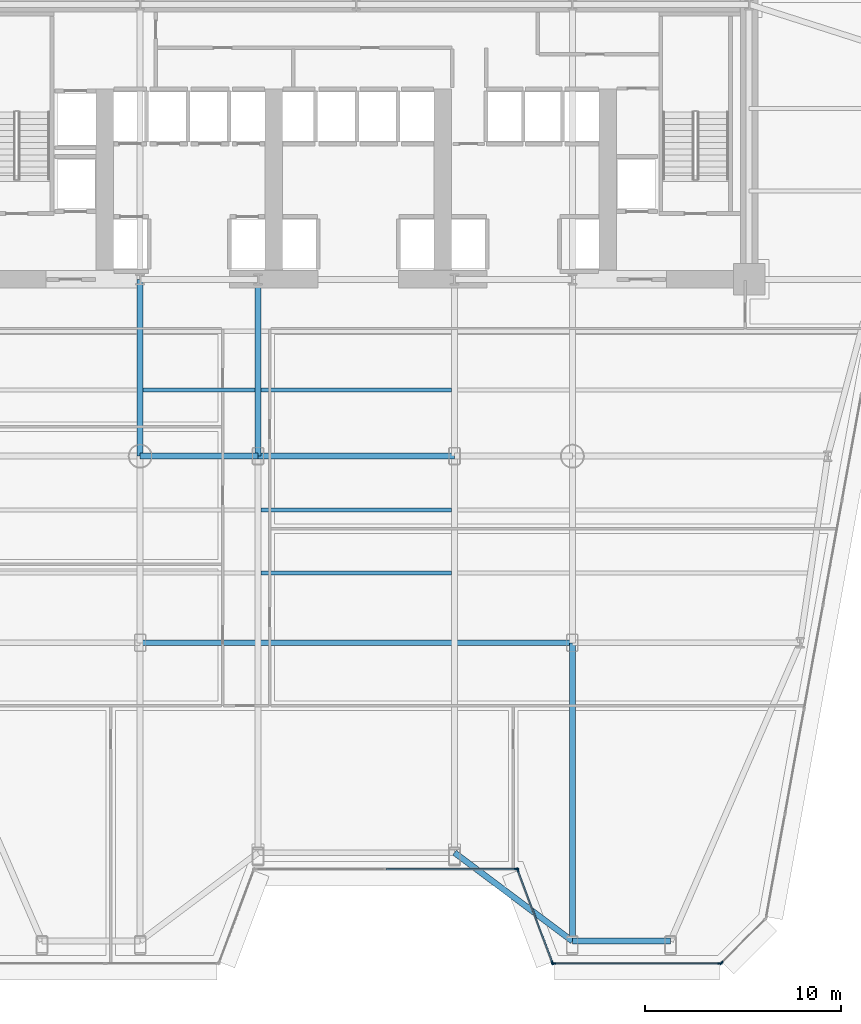
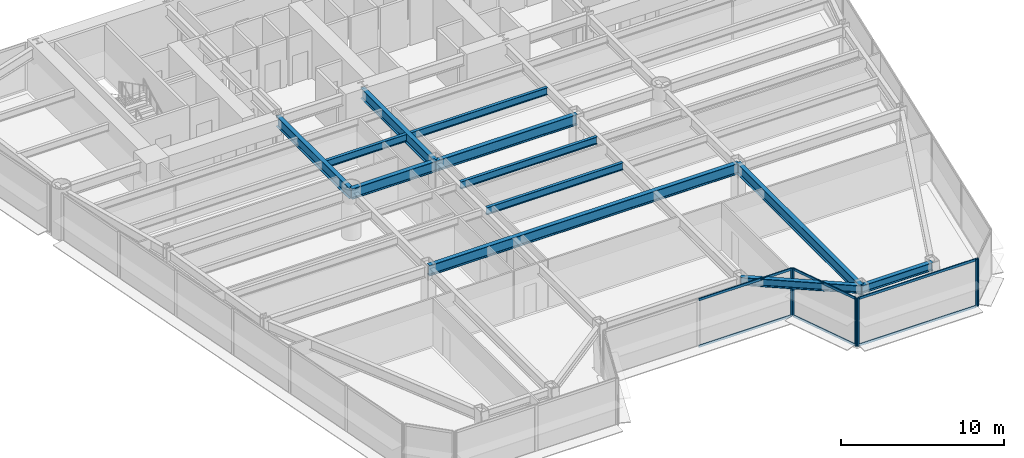
# One storey, part 3 of 14: 12 beams, 12 members, 4 elements without a shape of their own.
"""IFC4 building model written with IfcOpenShell, lengths in metres."""

from ifc_helpers import new_model, si_unit, direction, frame, origin, origin_2d, place, context, subcontext, project, spatial, rectangle, i_section, extrude, source, transform, mapped, material, layer, layer_set, material_profile, profile_set, type_object, element, aggregate, save


model = new_model("IFC4")

# Units and contexts
model_context = context("Model", 3, precision=1e-05, world=origin(), true_north=direction((0.0, 1.0)))
body_context = subcontext(model_context, "Body", "Model", "MODEL_VIEW")
ifc_project = project(units=[si_unit("LENGTHUNIT", "METRE"), si_unit("AREAUNIT", "SQUARE_METRE"), si_unit("VOLUMEUNIT", "CUBIC_METRE"), si_unit("PLANEANGLEUNIT", "RADIAN"), si_unit("MASSUNIT", "GRAM", prefix="KILO")], contexts=[model_context])

# Site, building, storey
site_placement = place(None, origin())
site = spatial("IfcSite", under=ifc_project, at=site_placement, CompositionType="ELEMENT")
building_placement = place(site_placement, origin())
building = spatial("IfcBuilding", under=site, at=building_placement, Name="Vaeldorn Concourse Tower", CompositionType="ELEMENT")
storey_placement = place(building_placement, frame((0.0, 0.0, 45.39990234375)))
storey = spatial("IfcBuildingStorey", under=building, at=storey_placement, Name="L11", CompositionType="ELEMENT", Elevation=45.39990234375)

# Beams
ifc_material_1 = material(Name="Steel S355", Category="steel")
ifc_material_profile_1 = material_profile(ifc_material_1, i_section(OverallWidth=0.300048828125, OverallDepth=0.800048828125, WebThickness=0.017578125, FlangeThickness=0.032958984375, FilletRadius=0.030029296875, at=origin_2d()), Name="HEB 800")
ifc_profile_set_1 = profile_set([ifc_material_profile_1], Name="Steel S355")
beam_type_1 = type_object("IfcBeamType", Name="BM-PG-HEB800", PredefinedType="BEAM", material=ifc_profile_set_1)
shared_shape_1 = source(origin(), body_context, "Body", "SweptSolid", [
    extrude(i_section(OverallWidth=0.300048828125, OverallDepth=0.800048828125, WebThickness=0.017578125, FlangeThickness=0.032958984375, FilletRadius=0.030029296875, at=origin_2d()), origin(), (0.0, 0.0, 1.0), 6.0),
])
beam_1_placement = place(storey_placement, frame((23.0, 27.5, 3.18017578125), z_axis=(1.0, 0.0, 0.0), x_axis=(0.0, 1.0, 0.0)))
element("IfcBeam", 1, at=beam_1_placement, inside=storey, type_object=beam_type_1, Name="Beam BM-L11-C-TW1-C-TW2", PredefinedType="BEAM", context=body_context, shape_type="MappedRepresentation", body=[
    mapped(shared_shape_1, transform((0.0, 0.0, 0.0), scale=1.0)),
])
shared_shape_2 = source(origin(), body_context, "Body", "SweptSolid", [
    extrude(i_section(OverallWidth=0.300048828125, OverallDepth=0.800048828125, WebThickness=0.017578125, FlangeThickness=0.032958984375, FilletRadius=0.030029296875, at=origin_2d()), origin(), (0.0, 0.0, 1.0), 10.0),
])
beam_2_placement = place(storey_placement, frame((29.0, 27.5, 3.18017578125), z_axis=(1.0, 0.0, 0.0), x_axis=(0.0, 1.0, 0.0)))
element("IfcBeam", 2, at=beam_2_placement, inside=storey, type_object=beam_type_1, Name="Beam BM-L11-C-TW2-C-TW3", PredefinedType="BEAM", context=body_context, shape_type="MappedRepresentation", body=[
    mapped(shared_shape_2, transform((0.0, 0.0, 0.0), scale=1.0)),
])
shared_shape_3 = source(origin(), body_context, "Body", "SweptSolid", [
    extrude(i_section(OverallWidth=0.300048828125, OverallDepth=0.800048828125, WebThickness=0.017578125, FlangeThickness=0.032958984375, FilletRadius=0.030029296875, at=origin_2d()), origin(), (0.0, 0.0, 1.0), 9.0),
])
for number, where, z_axis, x_axis, name in (
    (3, (23.0, 27.5, 3.18017578125), (0.0, 1.0, 0.0), (-1.0, 0.0, 0.0), "Beam BM-L11-C-TW1-C-FC2"),
    (4, (29.0, 27.5, 3.18017578125), (0.0, 1.0, 0.0), (-1.0, 0.0, 0.0), "Beam BM-L11-C-TW2-C-FC3"),
):
    element("IfcBeam", number, at=place(storey_placement, frame(where, z_axis=z_axis, x_axis=x_axis)), inside=storey, type_object=beam_type_1, Name=name, PredefinedType="BEAM", context=body_context, shape_type="MappedRepresentation", body=[
        mapped(shared_shape_3, transform((0.0, 0.0, 0.0), scale=1.0)),
    ])
ifc_material_profile_2 = material_profile(ifc_material_1, i_section(OverallWidth=0.300048828125, OverallDepth=0.60009765625, WebThickness=0.015380859375, FlangeThickness=0.030029296875, FilletRadius=0.027099609375, at=origin_2d()), Name="HEB 600")
ifc_profile_set_2 = profile_set([ifc_material_profile_2], Name="Steel S355")
beam_type_2 = type_object("IfcBeamType", Name="BM-SP-HEB600", PredefinedType="SPANDREL", material=ifc_profile_set_2)
shared_shape_4 = source(origin(), body_context, "Body", "SweptSolid", [
    extrude(i_section(OverallWidth=0.300048828125, OverallDepth=0.60009765625, WebThickness=0.015380859375, FlangeThickness=0.030029296875, FilletRadius=0.027099609375, at=origin_2d()), origin(), (0.0, 0.0, 1.0), 5.0),
])
beam_3_placement = place(storey_placement, frame((45.0, 2.8125, 3.280029296875), z_axis=(1.0, 0.0, 0.0), x_axis=(0.0, 1.0, 0.0)))
element("IfcBeam", 5, at=beam_3_placement, inside=storey, type_object=beam_type_2, Name="Beam BM-L11-C-SF5-C-SF6", PredefinedType="SPANDREL", context=body_context, shape_type="MappedRepresentation", body=[
    mapped(shared_shape_4, transform((0.0, 0.0, 0.0), scale=1.0)),
])
shared_shape_5 = source(origin(), body_context, "Body", "SweptSolid", [
    extrude(i_section(OverallWidth=0.300048828125, OverallDepth=0.60009765625, WebThickness=0.015380859375, FlangeThickness=0.030029296875, FilletRadius=0.027099609375, at=origin_2d()), origin(), (0.0, 0.0, 1.0), 7.5),
])
beam_4_placement = place(storey_placement, frame((39.0, 7.3125, 3.280029296875), z_axis=(0.8, -0.6, 0.0), x_axis=(0.6, 0.8, 0.0)))
element("IfcBeam", 6, at=beam_4_placement, inside=storey, type_object=beam_type_2, Name="Beam BM-L11-C-SF4-C-SF5", PredefinedType="SPANDREL", context=body_context, shape_type="MappedRepresentation", body=[
    mapped(shared_shape_5, transform((0.0, 0.0, 0.0), scale=1.0)),
])
shared_shape_6 = source(origin(), body_context, "Body", "SweptSolid", [
    extrude(i_section(OverallWidth=0.300048828125, OverallDepth=0.800048828125, WebThickness=0.017578125, FlangeThickness=0.032958984375, FilletRadius=0.030029296875, at=origin_2d()), origin(), (0.0, 0.0, 1.0), 22.0),
])
beam_5_placement = place(storey_placement, frame((23.0, 18.0, 3.18017578125), z_axis=(1.0, 0.0, 0.0), x_axis=(0.0, 1.0, 0.0)))
element("IfcBeam", 7, at=beam_5_placement, inside=storey, type_object=beam_type_1, Name="Beam BM-L11-C-TW5-C-TW6", PredefinedType="BEAM", context=body_context, shape_type="MappedRepresentation", body=[
    mapped(shared_shape_6, transform((0.0, 0.0, 0.0), scale=1.0)),
])
ifc_material_profile_3 = material_profile(ifc_material_1, i_section(OverallWidth=0.2099609375, OverallDepth=0.550048828125, WebThickness=0.010986328125, FlangeThickness=0.01708984375, FilletRadius=0.02392578125, at=origin_2d()), Name="IPE 550")
ifc_profile_set_3 = profile_set([ifc_material_profile_3], Name="Steel S355")
beam_type_3 = type_object("IfcBeamType", Name="BM-JS-IPE550", PredefinedType="JOIST", material=ifc_profile_set_3)
shared_shape_7 = source(origin(), body_context, "Body", "SweptSolid", [
    extrude(i_section(OverallWidth=0.2099609375, OverallDepth=0.550048828125, WebThickness=0.010986328125, FlangeThickness=0.01708984375, FilletRadius=0.02392578125, at=origin_2d()), origin(), (0.0, 0.0, 1.0), 5.7001953125),
])
beam_6_placement = place(storey_placement, frame((23.14990234375, 30.860107421875, 3.30517578125), z_axis=(1.0, 0.0, 0.0), x_axis=(0.0, 1.0, 0.0)))
element("IfcBeam", 8, at=beam_6_placement, inside=storey, type_object=beam_type_3, Name="Beam JS-L11-W2-308", PredefinedType="JOIST", context=body_context, shape_type="MappedRepresentation", body=[
    mapped(shared_shape_7, transform((0.0, 0.0, 0.0), scale=1.0)),
])
shared_shape_8 = source(origin(), body_context, "Body", "SweptSolid", [
    extrude(i_section(OverallWidth=0.2099609375, OverallDepth=0.550048828125, WebThickness=0.010986328125, FlangeThickness=0.01708984375, FilletRadius=0.02392578125, at=origin_2d()), origin(), (0.0, 0.0, 1.0), 9.7001953125),
])
for number, where, z_axis, x_axis, name in (
    (9, (29.14990234375, 21.56005859375, 3.30517578125), (1.0, 0.0, 0.0), (0.0, 1.0, 0.0), "Beam JS-L11-C-215"),
    (10, (29.14990234375, 24.760009765625, 3.30517578125), (1.0, 0.0, 0.0), (0.0, 1.0, 0.0), "Beam JS-L11-C-247"),
    (11, (29.14990234375, 30.860107421875, 3.30517578125), (1.0, 0.0, 0.0), (0.0, 1.0, 0.0), "Beam JS-L11-C-308"),
):
    element("IfcBeam", number, at=place(storey_placement, frame(where, z_axis=z_axis, x_axis=x_axis)), inside=storey, type_object=beam_type_3, Name=name, PredefinedType="JOIST", context=body_context, shape_type="MappedRepresentation", body=[
        mapped(shared_shape_8, transform((0.0, 0.0, 0.0), scale=1.0)),
    ])
shared_shape_9 = source(origin(), body_context, "Body", "SweptSolid", [
    extrude(i_section(OverallWidth=0.300048828125, OverallDepth=0.800048828125, WebThickness=0.017578125, FlangeThickness=0.032958984375, FilletRadius=0.030029296875, at=origin_2d()), origin(), (0.0, 0.0, 1.0), 15.1875),
])
beam_7_placement = place(storey_placement, frame((45.0, 2.8125, 3.18017578125), z_axis=(0.0, 1.0, 0.0), x_axis=(-1.0, 0.0, 0.0)))
element("IfcBeam", 12, at=beam_7_placement, inside=storey, type_object=beam_type_1, Name="Beam BM-L11-C-SF5-C-TW6", PredefinedType="BEAM", context=body_context, shape_type="MappedRepresentation", body=[
    mapped(shared_shape_9, transform((0.0, 0.0, 0.0), scale=1.0)),
])

# Curtain wall, members
ifc_material_2 = material(Name="Anodised Bronze Aluminium", Category="aluminium")
ifc_layer = layer(ifc_material_2, 0.219970703125)
ifc_layer_set = layer_set([ifc_layer], Name="Anodised Bronze Aluminium")
curtain_wall_type = type_object("IfcCurtainWallType", Name="CW-SYS-01", PredefinedType="NOTDEFINED", material=ifc_layer_set)
curtain_wall_1_placement = place(storey_placement, origin())
curtain_wall_1 = element("IfcCurtainWall", 13, at=curtain_wall_1_placement, inside=storey, type_object=curtain_wall_type, Name="Unitised Curtain Wall CW-L11-E03-1", PredefinedType="NOTDEFINED")
ifc_material_profile_4 = material_profile(ifc_material_2, rectangle(XDim=0.074951171875, YDim=0.179931640625, at=origin_2d()), Name="CWT 75x180")
ifc_profile_set_4 = profile_set([ifc_material_profile_4], Name="Anodised Bronze Aluminium")
member_type_1 = type_object("IfcMemberType", Name="CWT-BRONZE-180", PredefinedType="USERDEFINED", material=ifc_profile_set_4)
shared_shape_10 = source(origin(), body_context, "Body", "SweptSolid", [
    extrude(rectangle(XDim=0.074951171875, YDim=0.179931640625, at=origin_2d()), origin(), (0.0, 0.0, 1.0), 6.58740234375),
])
member_1_placement = place(storey_placement, frame((35.53759765625, 6.473388671875, 0.03759765625), z_axis=(1.0, 0.0, 0.0), x_axis=(0.0, 1.0, 0.0)))
member_1 = element("IfcMember", 14, at=member_1_placement, type_object=member_type_1, Name="CW-01 transom 2.1", ObjectType="TRANSOM", PredefinedType="USERDEFINED", context=body_context, shape_type="MappedRepresentation", body=[
    mapped(shared_shape_10, transform((0.0, 0.0, 0.0), scale=1.0)),
])
member_2_placement = place(storey_placement, frame((35.53759765625, 6.473388671875, 3.54248046875), z_axis=(1.0, 0.0, 0.0), x_axis=(0.0, 1.0, 0.0)))
member_2 = element("IfcMember", 15, at=member_2_placement, type_object=member_type_1, Name="CW-01 transom 2.2", ObjectType="TRANSOM", PredefinedType="USERDEFINED", context=body_context, shape_type="MappedRepresentation", body=[
    mapped(shared_shape_10, transform((0.0, 0.0, 0.0), scale=1.0)),
])

curtain_wall_2_placement = place(storey_placement, origin())
curtain_wall_2 = element("IfcCurtainWall", 16, at=curtain_wall_2_placement, inside=storey, type_object=curtain_wall_type, Name="Unitised Curtain Wall CW-L11-E04-1", PredefinedType="NOTDEFINED")
shared_shape_11 = source(origin(), body_context, "Body", "SweptSolid", [
    extrude(rectangle(XDim=0.074951171875, YDim=0.179931640625, at=origin_2d()), origin(), (0.0, 0.0, 1.0), 4.9765625),
])
member_3_placement = place(storey_placement, frame((42.226318359375, 6.4033203125, 0.03759765625), z_axis=(0.351112688987, -0.936333209724, 0.0), x_axis=(0.936333209724, 0.351112688987, 0.0)))
member_3 = element("IfcMember", 17, at=member_3_placement, type_object=member_type_1, Name="CW-01 transom 1.1", ObjectType="TRANSOM", PredefinedType="USERDEFINED", context=body_context, shape_type="MappedRepresentation", body=[
    mapped(shared_shape_11, transform((0.0, 0.0, 0.0), scale=1.0)),
])
member_4_placement = place(storey_placement, frame((42.226318359375, 6.4033203125, 3.54248046875), z_axis=(0.351112688987, -0.936333209724, 0.0), x_axis=(0.936333209724, 0.351112688987, 0.0)))
member_4 = element("IfcMember", 18, at=member_4_placement, type_object=member_type_1, Name="CW-01 transom 1.2", ObjectType="TRANSOM", PredefinedType="USERDEFINED", context=body_context, shape_type="MappedRepresentation", body=[
    mapped(shared_shape_11, transform((0.0, 0.0, 0.0), scale=1.0)),
])

# Member
ifc_material_profile_5 = material_profile(ifc_material_2, rectangle(XDim=0.074951171875, YDim=0.219970703125, at=origin_2d()), Name="CWM 75x220")
ifc_profile_set_5 = profile_set([ifc_material_profile_5], Name="Anodised Bronze Aluminium")
member_type_2 = type_object("IfcMemberType", Name="CWM-BRONZE-220", PredefinedType="MULLION", material=ifc_profile_set_5)
shared_shape_12 = source(origin(), body_context, "Body", "SweptSolid", [
    extrude(rectangle(XDim=0.074951171875, YDim=0.219970703125, at=origin_2d()), origin(), (0.0, 0.0, 1.0), 3.580078125),
])
member_5_placement = place(storey_placement, frame((42.16259765625, 6.473388671875, 0.0), z_axis=(0.0, 0.0, 1.0), x_axis=(0.0, 1.0, 0.0)))
member_5 = element("IfcMember", 19, at=member_5_placement, type_object=member_type_2, Name="CW-01 mullion 3", PredefinedType="MULLION", context=body_context, shape_type="MappedRepresentation", body=[
    mapped(shared_shape_12, transform((0.0, 0.0, 0.0), scale=1.0)),
])

aggregate(curtain_wall_1, [member_5, member_1, member_2])

member_6_placement = place(storey_placement, frame((42.213134765625, 6.4384765625, 0.0), z_axis=(0.0, 0.0, 1.0), x_axis=(0.936329177566, 0.351123441595, 0.0)))
member_6 = element("IfcMember", 20, at=member_6_placement, type_object=member_type_2, Name="CW-01 mullion 1", PredefinedType="MULLION", context=body_context, shape_type="MappedRepresentation", body=[
    mapped(shared_shape_12, transform((0.0, 0.0, 0.0), scale=1.0)),
])

member_7_placement = place(storey_placement, frame((43.98681640625, 1.70849609375, 0.0), z_axis=(0.0, 0.0, 1.0), x_axis=(0.936329177566, 0.351123441595, 0.0)))
member_7 = element("IfcMember", 21, at=member_7_placement, type_object=member_type_2, Name="CW-01 mullion 2", PredefinedType="MULLION", context=body_context, shape_type="MappedRepresentation", body=[
    mapped(shared_shape_12, transform((0.0, 0.0, 0.0), scale=1.0)),
])

aggregate(curtain_wall_2, [member_6, member_7, member_3, member_4])

# Curtain wall, members
curtain_wall_3_placement = place(storey_placement, origin())
curtain_wall_3 = element("IfcCurtainWall", 22, at=curtain_wall_3_placement, inside=storey, type_object=curtain_wall_type, Name="Unitised Curtain Wall CW-L11-E05-1", PredefinedType="NOTDEFINED")
member_8_placement = place(storey_placement, frame((44.03759765625, 1.673583984375, 0.0), z_axis=(0.0, 0.0, 1.0), x_axis=(0.0, 1.0, 0.0)))
member_8 = element("IfcMember", 23, at=member_8_placement, type_object=member_type_2, Name="CW-01 mullion 1", PredefinedType="MULLION", context=body_context, shape_type="MappedRepresentation", body=[
    mapped(shared_shape_12, transform((0.0, 0.0, 0.0), scale=1.0)),
])
member_9_placement = place(storey_placement, frame((52.523681640625, 1.673583984375, 0.0), z_axis=(0.0, 0.0, 1.0), x_axis=(0.0, 1.0, 0.0)))
member_9 = element("IfcMember", 24, at=member_9_placement, type_object=member_type_2, Name="CW-01 mullion 2", PredefinedType="MULLION", context=body_context, shape_type="MappedRepresentation", body=[
    mapped(shared_shape_12, transform((0.0, 0.0, 0.0), scale=1.0)),
])

# Curtain wall, member
curtain_wall_4_placement = place(storey_placement, origin())
curtain_wall_4 = element("IfcCurtainWall", 25, at=curtain_wall_4_placement, inside=storey, type_object=curtain_wall_type, Name="Unitised Curtain Wall CW-L11-E06-1", PredefinedType="NOTDEFINED")
member_10_placement = place(storey_placement, frame((52.587646484375, 1.699951171875, 0.0), z_axis=(0.0, 0.0, 1.0), x_axis=(-0.707106781187, 0.707106781187, 0.0)))
member_10 = element("IfcMember", 26, at=member_10_placement, type_object=member_type_2, Name="CW-01 mullion 1", PredefinedType="MULLION", context=body_context, shape_type="MappedRepresentation", body=[
    mapped(shared_shape_12, transform((0.0, 0.0, 0.0), scale=1.0)),
])
aggregate(curtain_wall_4, [member_10])

# Member
shared_shape_13 = source(origin(), body_context, "Body", "SweptSolid", [
    extrude(rectangle(XDim=0.074951171875, YDim=0.179931640625, at=origin_2d()), origin(), (0.0, 0.0, 1.0), 8.4111328125),
])
member_11_placement = place(storey_placement, frame((44.074951171875, 1.673583984375, 0.03759765625), z_axis=(1.0, 0.0, 0.0), x_axis=(0.0, 1.0, 0.0)))
member_11 = element("IfcMember", 27, at=member_11_placement, type_object=member_type_1, Name="CW-01 transom 1.1", ObjectType="TRANSOM", PredefinedType="USERDEFINED", context=body_context, shape_type="MappedRepresentation", body=[
    mapped(shared_shape_13, transform((0.0, 0.0, 0.0), scale=1.0)),
])

member_12_placement = place(storey_placement, frame((44.074951171875, 1.673583984375, 3.54248046875), z_axis=(1.0, 0.0, 0.0), x_axis=(0.0, 1.0, 0.0)))
member_12 = element("IfcMember", 28, at=member_12_placement, type_object=member_type_1, Name="CW-01 transom 1.2", ObjectType="TRANSOM", PredefinedType="USERDEFINED", context=body_context, shape_type="MappedRepresentation", body=[
    mapped(shared_shape_13, transform((0.0, 0.0, 0.0), scale=1.0)),
])

aggregate(curtain_wall_3, [member_8, member_9, member_11, member_12])

save(model, "model.ifc")
